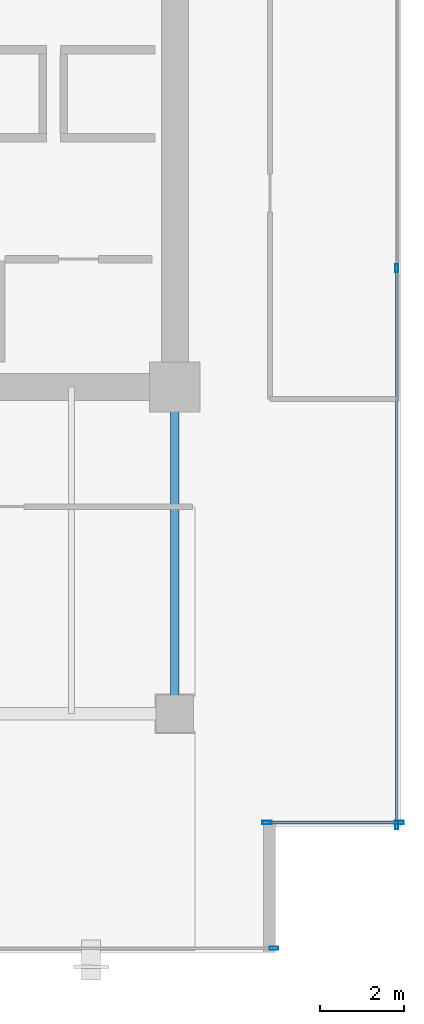
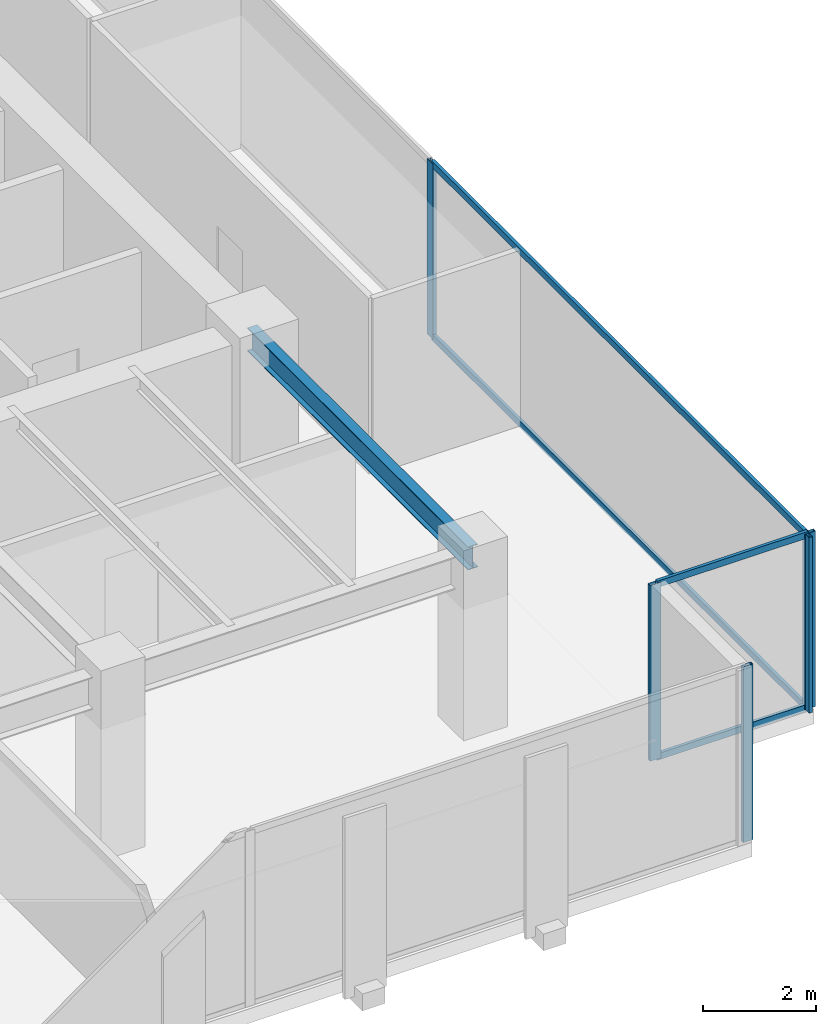
# One storey, part 21 of 34: 9 members, 1 beam, 3 elements without a shape of their own.
"""IFC4 building model written with IfcOpenShell, lengths in metres."""

from ifc_helpers import new_model, si_unit, direction, frame, origin, origin_2d, place, context, subcontext, project, spatial, hollow_rectangle, i_section, extrude, source, transform, mapped, material, layer, layer_set, material_profile, profile_set, type_object, type_shapes, element, aggregate, save


model = new_model("IFC4")

# Units and contexts
model_context = context("Model", 3, precision=1e-05, world=origin(), true_north=direction((0.0, 1.0)))
body_context = subcontext(model_context, "Body", "Model", "MODEL_VIEW")
ifc_project = project(units=[si_unit("LENGTHUNIT", "METRE"), si_unit("AREAUNIT", "SQUARE_METRE"), si_unit("VOLUMEUNIT", "CUBIC_METRE"), si_unit("PLANEANGLEUNIT", "RADIAN"), si_unit("MASSUNIT", "GRAM", prefix="KILO")], contexts=[model_context])

# Site, building, storey
site_placement = place(None, origin())
site = spatial("IfcSite", under=ifc_project, at=site_placement, CompositionType="ELEMENT")
building_placement = place(site_placement, origin())
building = spatial("IfcBuilding", under=site, at=building_placement, Name="Haelvirn Gate Laboratories", CompositionType="ELEMENT")
storey_placement = place(building_placement, frame((0.0, 0.0, 158.39990234375)))
storey = spatial("IfcBuildingStorey", under=building, at=storey_placement, Name="L38", CompositionType="ELEMENT", Elevation=158.39990234375)

# Beam
ifc_material_1 = material(Name="Steel SM355", Category="steel")
ifc_material_profile_1 = material_profile(ifc_material_1, i_section(OverallWidth=0.199951171875, OverallDepth=0.5, WebThickness=0.010009765625, FlangeThickness=0.01611328125, at=origin_2d()), Name="H-500x200x10x16")
ifc_profile_set_1 = profile_set([ifc_material_profile_1], Name="Steel SM355")
beam_type = type_object("IfcBeamType", Name="BM-SP-500", PredefinedType="SPANDREL", material=ifc_profile_set_1)
shared_shape_1 = source(origin(), body_context, "Body", "SweptSolid", [
    extrude(i_section(OverallWidth=0.199951171875, OverallDepth=0.5, WebThickness=0.010009765625, FlangeThickness=0.01611328125, at=origin_2d()), origin(), (0.0, 0.0, 1.0), 7.800048828125),
])
type_shapes(beam_type, [shared_shape_1])
beam_placement = place(storey_placement, frame((67.39990234375, 7.0, 3.5400390625), z_axis=(0.0, 1.0, 0.0), x_axis=(-1.0, 0.0, 0.0)))
element("IfcBeam", 1, at=beam_placement, inside=storey, type_object=beam_type, Name="L38 Perimeter Spandrel X67.4 (7.0-14.8)", PredefinedType="SPANDREL", context=body_context, shape_type="MappedRepresentation", body=[
    mapped(shared_shape_1, transform((0.0, 0.0, 0.0), scale=1.0)),
])

# Curtain wall, members
ifc_material_2 = material(Name="Anodised bronze unitised aluminium & triple low-E glass", Category="aluminium")
ifc_layer_1 = layer(ifc_material_2, 0.181884765625, Name="CW-SYS-5")
ifc_layer_set_1 = layer_set([ifc_layer_1], Name="Anodised bronze unitised aluminium & triple low-E glass")
curtain_wall_type_1 = type_object("IfcCurtainWallType", Name="CW-SYS-5", PredefinedType="NOTDEFINED", material=ifc_layer_set_1)
curtain_wall_1_placement = place(storey_placement, origin())
curtain_wall_1 = element("IfcCurtainWall", 2, at=curtain_wall_1_placement, inside=storey, type_object=curtain_wall_type_1, Name="L38 Unitised Curtain Wall CW-L38-P0-E06-1", PredefinedType="NOTDEFINED")
ifc_material_3 = material(Name="Extruded aluminium 6063-T6 (anodised bronze)", Category="aluminium")
ifc_material_profile_2 = material_profile(ifc_material_3, hollow_rectangle(XDim=0.06494140625, YDim=0.139892578125, WallThickness=0.00390625, at=origin_2d()), Name="CWT-140x65x4")
ifc_profile_set_2 = profile_set([ifc_material_profile_2], Name="Extruded aluminium 6063-T6 (anodised bronze)")
member_type_1 = type_object("IfcMemberType", Name="CWT-T140", PredefinedType="USERDEFINED", material=ifc_profile_set_2)
shared_shape_2 = source(origin(), body_context, "Body", "SweptSolid", [
    extrude(hollow_rectangle(XDim=0.06494140625, YDim=0.139892578125, WallThickness=0.00390625, at=origin_2d()), origin(), (0.0, 0.0, 1.0), 3.080078125),
])
member_1_placement = place(storey_placement, frame((69.639892578125, 4.39990234375, 0.03271484375), z_axis=(1.0, 0.0, 0.0), x_axis=(0.0, 1.0, 0.0)))
member_1 = element("IfcMember", 3, at=member_1_placement, type_object=member_type_1, Name="CW5 transom 1.1", ObjectType="TRANSOM", PredefinedType="USERDEFINED", context=body_context, shape_type="MappedRepresentation", body=[
    mapped(shared_shape_2, transform((0.0, 0.0, 0.0), scale=1.0)),
])
member_2_placement = place(storey_placement, frame((69.639892578125, 4.39990234375, 3.757568359375), z_axis=(1.0, 0.0, 0.0), x_axis=(0.0, 1.0, 0.0)))
member_2 = element("IfcMember", 4, at=member_2_placement, type_object=member_type_1, Name="CW5 transom 1.2", ObjectType="TRANSOM", PredefinedType="USERDEFINED", context=body_context, shape_type="MappedRepresentation", body=[
    mapped(shared_shape_2, transform((0.0, 0.0, 0.0), scale=1.0)),
])

ifc_layer_2 = layer(ifc_material_2, 0.179931640625, Name="CW-SYS-3")
ifc_layer_set_2 = layer_set([ifc_layer_2], Name="Anodised bronze unitised aluminium & triple low-E glass")
curtain_wall_type_2 = type_object("IfcCurtainWallType", Name="CW-SYS-3", PredefinedType="NOTDEFINED", material=ifc_layer_set_2)
curtain_wall_2_placement = place(storey_placement, origin())
curtain_wall_2 = element("IfcCurtainWall", 5, at=curtain_wall_2_placement, inside=storey, type_object=curtain_wall_type_2, Name="L38 Unitised Curtain Wall CW-L38-P0-E07", PredefinedType="NOTDEFINED")
shared_shape_3 = source(origin(), body_context, "Body", "SweptSolid", [
    extrude(hollow_rectangle(XDim=0.06494140625, YDim=0.139892578125, WallThickness=0.00390625, at=origin_2d()), origin(), (0.0, 0.0, 1.0), 13.220947265625),
])
type_shapes(member_type_1, [shared_shape_2, shared_shape_3])
member_3_placement = place(storey_placement, frame((72.699951171875, 4.375, 0.03271484375), z_axis=(0.0, 1.0, 0.0), x_axis=(-1.0, 0.0, 0.0)))
member_3 = element("IfcMember", 6, at=member_3_placement, type_object=member_type_1, Name="CW3 transom 1.1", ObjectType="TRANSOM", PredefinedType="USERDEFINED", context=body_context, shape_type="MappedRepresentation", body=[
    mapped(shared_shape_3, transform((0.0, 0.0, 0.0), scale=1.0)),
])
member_4_placement = place(storey_placement, frame((72.699951171875, 4.375, 3.757568359375), z_axis=(0.0, 1.0, 0.0), x_axis=(-1.0, 0.0, 0.0)))
member_4 = element("IfcMember", 7, at=member_4_placement, type_object=member_type_1, Name="CW3 transom 1.2", ObjectType="TRANSOM", PredefinedType="USERDEFINED", context=body_context, shape_type="MappedRepresentation", body=[
    mapped(shared_shape_3, transform((0.0, 0.0, 0.0), scale=1.0)),
])

# Curtain wall, member
curtain_wall_3_placement = place(storey_placement, origin())
curtain_wall_3 = element("IfcCurtainWall", 8, at=curtain_wall_3_placement, inside=storey, type_object=curtain_wall_type_2, Name="L38 Unitised Curtain Wall CW-L38-P0-E04-1", PredefinedType="NOTDEFINED")
ifc_material_profile_3 = material_profile(ifc_material_3, hollow_rectangle(XDim=0.074951171875, YDim=0.199951171875, WallThickness=0.0048828125, at=origin_2d()), Name="CWM-200x75x5")
ifc_profile_set_3 = profile_set([ifc_material_profile_3], Name="Extruded aluminium 6063-T6 (anodised bronze)")
member_type_2 = type_object("IfcMemberType", Name="CWM-T200", PredefinedType="MULLION", material=ifc_profile_set_3)
shared_shape_4 = source(origin(), body_context, "Body", "SweptSolid", [
    extrude(hollow_rectangle(XDim=0.074951171875, YDim=0.199951171875, WallThickness=0.0048828125, at=origin_2d()), origin(), (0.0, 0.0, 1.0), 3.7900390625),
])
type_shapes(member_type_2, [shared_shape_4])
member_5_placement = place(storey_placement, frame((69.762451171875, 1.39990234375, 0.0), z_axis=(0.0, 0.0, 1.0), x_axis=(0.0, 1.0, 0.0)))
member_5 = element("IfcMember", 9, at=member_5_placement, type_object=member_type_2, Name="CW3 mullion 3", PredefinedType="MULLION", context=body_context, shape_type="MappedRepresentation", body=[
    mapped(shared_shape_4, transform((0.0, 0.0, 0.0), scale=1.0)),
])
aggregate(curtain_wall_3, [member_5])

# Member
member_6_placement = place(storey_placement, frame((72.699951171875, 4.33740234375, 0.0), z_axis=(0.0, 0.0, 1.0), x_axis=(-1.0, 0.0, 0.0)))
member_6 = element("IfcMember", 10, at=member_6_placement, type_object=member_type_2, Name="CW3 mullion 1", PredefinedType="MULLION", context=body_context, shape_type="MappedRepresentation", body=[
    mapped(shared_shape_4, transform((0.0, 0.0, 0.0), scale=1.0)),
])

member_7_placement = place(storey_placement, frame((72.699951171875, 17.63330078125, 0.0), z_axis=(0.0, 0.0, 1.0), x_axis=(-1.0, 0.0, 0.0)))
member_7 = element("IfcMember", 11, at=member_7_placement, type_object=member_type_2, Name="CW3 mullion 2", PredefinedType="MULLION", context=body_context, shape_type="MappedRepresentation", body=[
    mapped(shared_shape_4, transform((0.0, 0.0, 0.0), scale=1.0)),
])

aggregate(curtain_wall_2, [member_6, member_7, member_3, member_4])

ifc_material_profile_4 = material_profile(ifc_material_3, hollow_rectangle(XDim=0.080078125, YDim=0.219970703125, WallThickness=0.006103515625, at=origin_2d()), Name="CWM-220x80x6")
ifc_profile_set_4 = profile_set([ifc_material_profile_4], Name="Extruded aluminium 6063-T6 (anodised bronze)")
member_type_3 = type_object("IfcMemberType", Name="CWM-T220", PredefinedType="MULLION", material=ifc_profile_set_4)
shared_shape_5 = source(origin(), body_context, "Body", "SweptSolid", [
    extrude(hollow_rectangle(XDim=0.080078125, YDim=0.219970703125, WallThickness=0.006103515625, at=origin_2d()), origin(), (0.0, 0.0, 1.0), 3.7900390625),
])
type_shapes(member_type_3, [shared_shape_5])
member_8_placement = place(storey_placement, frame((69.60009765625, 4.39990234375, 0.0), z_axis=(0.0, 0.0, 1.0), x_axis=(0.0, 1.0, 0.0)))
member_8 = element("IfcMember", 12, at=member_8_placement, type_object=member_type_3, Name="CW5 mullion 1", PredefinedType="MULLION", context=body_context, shape_type="MappedRepresentation", body=[
    mapped(shared_shape_5, transform((0.0, 0.0, 0.0), scale=1.0)),
])

member_9_placement = place(storey_placement, frame((72.760009765625, 4.39990234375, 0.0), z_axis=(0.0, 0.0, 1.0), x_axis=(0.0, 1.0, 0.0)))
member_9 = element("IfcMember", 13, at=member_9_placement, type_object=member_type_3, Name="CW5 mullion 2", PredefinedType="MULLION", context=body_context, shape_type="MappedRepresentation", body=[
    mapped(shared_shape_5, transform((0.0, 0.0, 0.0), scale=1.0)),
])

aggregate(curtain_wall_1, [member_8, member_9, member_1, member_2])

save(model, "model.ifc")
